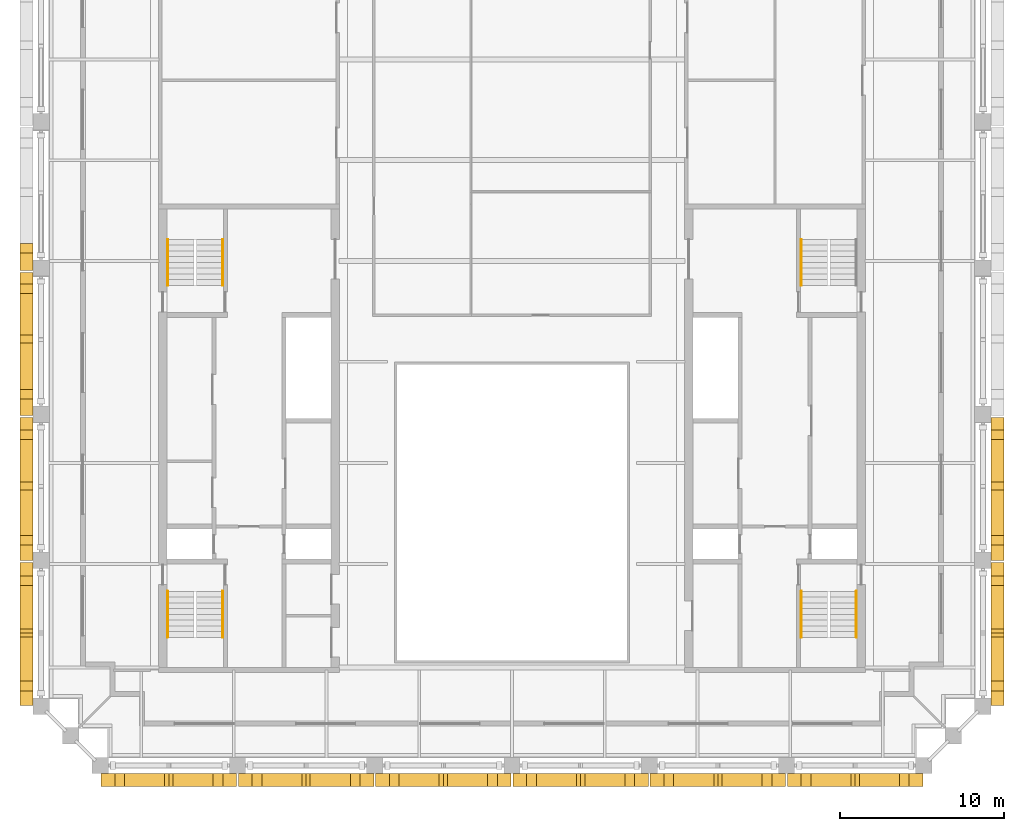
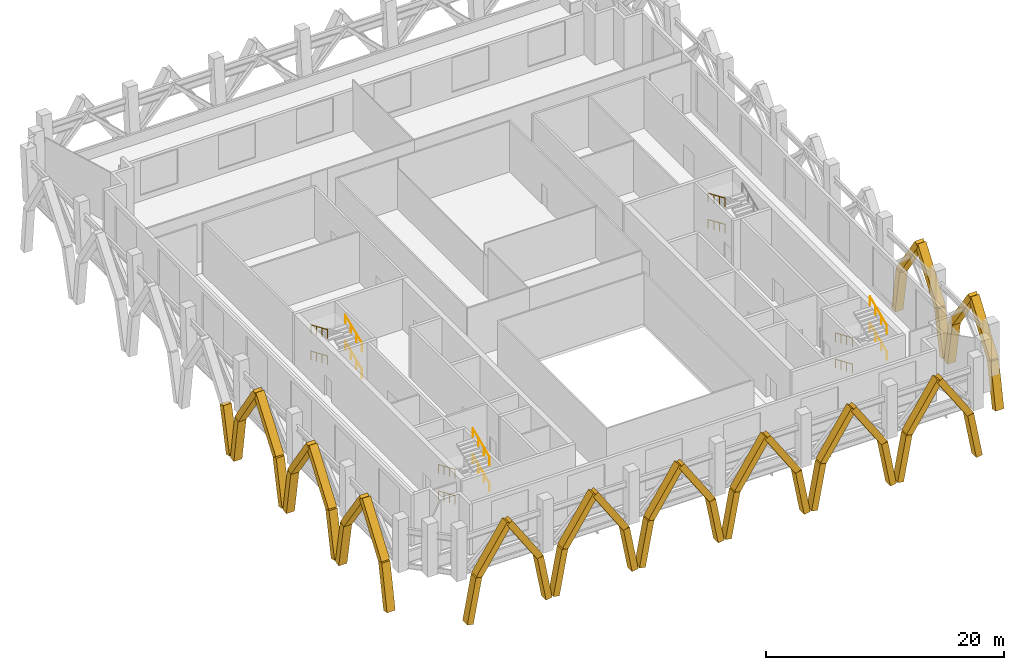
# One storey, part 12 of 13: 45 coverings, 14 railings.
"""IFC4 building model written with IfcOpenShell, lengths in metres."""

from ifc_helpers import new_model, si_unit, direction, frame, origin, origin_2d, place, context, subcontext, project, spatial, rectangle, circle, extrude, material, material_profile, profile_set, type_object, element, save


model = new_model("IFC4")

# Units and contexts
model_context = context("Model", 3, precision=1e-05, world=origin(), true_north=direction((0.0, 1.0)))
body_context = subcontext(model_context, "Body", "Model", "MODEL_VIEW")
ifc_project = project(units=[si_unit("LENGTHUNIT", "METRE"), si_unit("AREAUNIT", "SQUARE_METRE"), si_unit("VOLUMEUNIT", "CUBIC_METRE"), si_unit("PLANEANGLEUNIT", "RADIAN"), si_unit("MASSUNIT", "GRAM", prefix="KILO")], contexts=[model_context])

# Site, building, storey
site_placement = place(None, origin())
site = spatial("IfcSite", under=ifc_project, at=site_placement, CompositionType="ELEMENT")
building_placement = place(site_placement, origin())
building = spatial("IfcBuilding", under=site, at=building_placement, Name="Ogive Exchange Tower", CompositionType="ELEMENT")
storey_placement = place(building_placement, frame((0.0, 0.0, 363.60009765625)))
storey = spatial("IfcBuildingStorey", under=building, at=storey_placement, Name="L80", CompositionType="ELEMENT", Elevation=363.60009765625)

# Coverings
ifc_material_1 = material(Name="Precast concrete C50/60", Category="concrete")
ifc_material_profile = material_profile(ifc_material_1, rectangle(XDim=0.800048828125, YDim=0.60009765625, at=origin_2d()), Name="RIB 800 x 600")
ifc_profile_set = profile_set([ifc_material_profile], Name="Precast concrete C50/60")
covering_type = type_object("IfcCoveringType", Name="Precast tracery rib 800 x 600 C50/60", PredefinedType="CLADDING", material=ifc_profile_set)
covering_1_placement = place(storey_placement, frame((-24.699951171875, -9.280029296875, -4.2001953125), z_axis=(0.181512938485, 0.0, 0.983388556555), x_axis=(0.0, 1.0, 0.0)))
element("IfcCovering", 1, at=covering_1_placement, inside=storey, type_object=covering_type, Name="Tracery rib 1a", PredefinedType="CLADDING", context=body_context, shape_type="SweptSolid", body=[
    extrude(rectangle(XDim=0.800048828125, YDim=0.60009765625, at=origin_2d()), origin(), (0.0, 0.0, 1.0), 4.626953125),
])
covering_2_placement = place(storey_placement, frame((-23.860107421875, -9.280029296875, 0.349853515625), z_axis=(0.548545701982, 0.0, 0.836120573145), x_axis=(0.0, 1.0, 0.0)))
element("IfcCovering", 2, at=covering_2_placement, inside=storey, type_object=covering_type, Name="Tracery rib 1a", PredefinedType="CLADDING", context=body_context, shape_type="SweptSolid", body=[
    extrude(rectangle(XDim=0.800048828125, YDim=0.60009765625, at=origin_2d()), origin(), (0.0, 0.0, 1.0), 5.44189453125),
])
covering_3_placement = place(storey_placement, frame((-17.050048828125, -9.280029296875, -4.2001953125), z_axis=(-0.181512938485, 0.0, 0.983388556555), x_axis=(0.0, -1.0, 0.0)))
element("IfcCovering", 3, at=covering_3_placement, inside=storey, type_object=covering_type, Name="Tracery rib 1b", PredefinedType="CLADDING", context=body_context, shape_type="SweptSolid", body=[
    extrude(rectangle(XDim=0.800048828125, YDim=0.60009765625, at=origin_2d()), origin(), (0.0, 0.0, 1.0), 4.626953125),
])
covering_4_placement = place(storey_placement, frame((-17.889892578125, -9.280029296875, 0.349853515625), z_axis=(-0.548545701982, 0.0, 0.836120573145), x_axis=(0.0, -1.0, 0.0)))
element("IfcCovering", 4, at=covering_4_placement, inside=storey, type_object=covering_type, Name="Tracery rib 1b", PredefinedType="CLADDING", context=body_context, shape_type="SweptSolid", body=[
    extrude(rectangle(XDim=0.800048828125, YDim=0.60009765625, at=origin_2d()), origin(), (0.0, 0.0, 1.0), 5.44189453125),
])
covering_5_placement = place(storey_placement, frame((-16.35009765625, -9.280029296875, -4.2001953125), z_axis=(0.181563964683, 0.0, 0.983379136818), x_axis=(0.0, 1.0, 0.0)))
element("IfcCovering", 5, at=covering_5_placement, inside=storey, type_object=covering_type, Name="Tracery rib 2a", PredefinedType="CLADDING", context=body_context, shape_type="SweptSolid", body=[
    extrude(rectangle(XDim=0.800048828125, YDim=0.60009765625, at=origin_2d()), origin(), (0.0, 0.0, 1.0), 4.626953125),
])
covering_6_placement = place(storey_placement, frame((-15.510009765625, -9.280029296875, 0.349853515625), z_axis=(0.548545701982, 0.0, 0.836120573145), x_axis=(0.0, 1.0, 0.0)))
element("IfcCovering", 6, at=covering_6_placement, inside=storey, type_object=covering_type, Name="Tracery rib 2a", PredefinedType="CLADDING", context=body_context, shape_type="SweptSolid", body=[
    extrude(rectangle(XDim=0.800048828125, YDim=0.60009765625, at=origin_2d()), origin(), (0.0, 0.0, 1.0), 5.44189453125),
])
covering_7_placement = place(storey_placement, frame((-8.699951171875, -9.280029296875, -4.2001953125), z_axis=(-0.181563964683, 0.0, 0.983379136818), x_axis=(0.0, -1.0, 0.0)))
element("IfcCovering", 7, at=covering_7_placement, inside=storey, type_object=covering_type, Name="Tracery rib 2b", PredefinedType="CLADDING", context=body_context, shape_type="SweptSolid", body=[
    extrude(rectangle(XDim=0.800048828125, YDim=0.60009765625, at=origin_2d()), origin(), (0.0, 0.0, 1.0), 4.626953125),
])
covering_8_placement = place(storey_placement, frame((-9.5400390625, -9.280029296875, 0.349853515625), z_axis=(-0.548514336877, 0.0, 0.836141149711), x_axis=(0.0, -1.0, 0.0)))
element("IfcCovering", 8, at=covering_8_placement, inside=storey, type_object=covering_type, Name="Tracery rib 2b", PredefinedType="CLADDING", context=body_context, shape_type="SweptSolid", body=[
    extrude(rectangle(XDim=0.800048828125, YDim=0.60009765625, at=origin_2d()), origin(), (0.0, 0.0, 1.0), 5.441650390625),
])
covering_9_placement = place(storey_placement, frame((-8.0, -9.280029296875, -4.2001953125), z_axis=(0.181563964683, 0.0, 0.983379136818), x_axis=(0.0, 1.0, 0.0)))
element("IfcCovering", 9, at=covering_9_placement, inside=storey, type_object=covering_type, Name="Tracery rib 3a", PredefinedType="CLADDING", context=body_context, shape_type="SweptSolid", body=[
    extrude(rectangle(XDim=0.800048828125, YDim=0.60009765625, at=origin_2d()), origin(), (0.0, 0.0, 1.0), 4.626953125),
])
covering_10_placement = place(storey_placement, frame((-7.159912109375, -9.280029296875, 0.349853515625), z_axis=(0.548514336877, 0.0, 0.836141149711), x_axis=(0.0, 1.0, 0.0)))
element("IfcCovering", 10, at=covering_10_placement, inside=storey, type_object=covering_type, Name="Tracery rib 3a", PredefinedType="CLADDING", context=body_context, shape_type="SweptSolid", body=[
    extrude(rectangle(XDim=0.800048828125, YDim=0.60009765625, at=origin_2d()), origin(), (0.0, 0.0, 1.0), 5.441650390625),
])
covering_11_placement = place(storey_placement, frame((-0.35009765625, -9.280029296875, -4.2001953125), z_axis=(-0.181512938485, 0.0, 0.983388556555), x_axis=(0.0, -1.0, 0.0)))
element("IfcCovering", 11, at=covering_11_placement, inside=storey, type_object=covering_type, Name="Tracery rib 3b", PredefinedType="CLADDING", context=body_context, shape_type="SweptSolid", body=[
    extrude(rectangle(XDim=0.800048828125, YDim=0.60009765625, at=origin_2d()), origin(), (0.0, 0.0, 1.0), 4.626953125),
])
covering_12_placement = place(storey_placement, frame((-1.18994140625, -9.280029296875, 0.349853515625), z_axis=(-0.548545701982, 0.0, 0.836120573145), x_axis=(0.0, -1.0, 0.0)))
element("IfcCovering", 12, at=covering_12_placement, inside=storey, type_object=covering_type, Name="Tracery rib 3b", PredefinedType="CLADDING", context=body_context, shape_type="SweptSolid", body=[
    extrude(rectangle(XDim=0.800048828125, YDim=0.60009765625, at=origin_2d()), origin(), (0.0, 0.0, 1.0), 5.44189453125),
])
covering_13_placement = place(storey_placement, frame((0.35009765625, -9.280029296875, -4.2001953125), z_axis=(0.181512938485, 0.0, 0.983388556555), x_axis=(0.0, 1.0, 0.0)))
element("IfcCovering", 13, at=covering_13_placement, inside=storey, type_object=covering_type, Name="Tracery rib 4a", PredefinedType="CLADDING", context=body_context, shape_type="SweptSolid", body=[
    extrude(rectangle(XDim=0.800048828125, YDim=0.60009765625, at=origin_2d()), origin(), (0.0, 0.0, 1.0), 4.626953125),
])
covering_14_placement = place(storey_placement, frame((1.18994140625, -9.280029296875, 0.349853515625), z_axis=(0.548545701982, 0.0, 0.836120573145), x_axis=(0.0, 1.0, 0.0)))
element("IfcCovering", 14, at=covering_14_placement, inside=storey, type_object=covering_type, Name="Tracery rib 4a", PredefinedType="CLADDING", context=body_context, shape_type="SweptSolid", body=[
    extrude(rectangle(XDim=0.800048828125, YDim=0.60009765625, at=origin_2d()), origin(), (0.0, 0.0, 1.0), 5.44189453125),
])
covering_15_placement = place(storey_placement, frame((8.0, -9.280029296875, -4.2001953125), z_axis=(-0.181563964683, 0.0, 0.983379136818), x_axis=(0.0, -1.0, 0.0)))
element("IfcCovering", 15, at=covering_15_placement, inside=storey, type_object=covering_type, Name="Tracery rib 4b", PredefinedType="CLADDING", context=body_context, shape_type="SweptSolid", body=[
    extrude(rectangle(XDim=0.800048828125, YDim=0.60009765625, at=origin_2d()), origin(), (0.0, 0.0, 1.0), 4.626953125),
])
covering_16_placement = place(storey_placement, frame((7.159912109375, -9.280029296875, 0.349853515625), z_axis=(-0.548514336877, 0.0, 0.836141149711), x_axis=(0.0, -1.0, 0.0)))
element("IfcCovering", 16, at=covering_16_placement, inside=storey, type_object=covering_type, Name="Tracery rib 4b", PredefinedType="CLADDING", context=body_context, shape_type="SweptSolid", body=[
    extrude(rectangle(XDim=0.800048828125, YDim=0.60009765625, at=origin_2d()), origin(), (0.0, 0.0, 1.0), 5.441650390625),
])
covering_17_placement = place(storey_placement, frame((8.699951171875, -9.280029296875, -4.2001953125), z_axis=(0.181563964683, 0.0, 0.983379136818), x_axis=(0.0, 1.0, 0.0)))
element("IfcCovering", 17, at=covering_17_placement, inside=storey, type_object=covering_type, Name="Tracery rib 5a", PredefinedType="CLADDING", context=body_context, shape_type="SweptSolid", body=[
    extrude(rectangle(XDim=0.800048828125, YDim=0.60009765625, at=origin_2d()), origin(), (0.0, 0.0, 1.0), 4.626953125),
])
covering_18_placement = place(storey_placement, frame((9.5400390625, -9.280029296875, 0.349853515625), z_axis=(0.548514336877, 0.0, 0.836141149711), x_axis=(0.0, 1.0, 0.0)))
element("IfcCovering", 18, at=covering_18_placement, inside=storey, type_object=covering_type, Name="Tracery rib 5a", PredefinedType="CLADDING", context=body_context, shape_type="SweptSolid", body=[
    extrude(rectangle(XDim=0.800048828125, YDim=0.60009765625, at=origin_2d()), origin(), (0.0, 0.0, 1.0), 5.441650390625),
])
covering_19_placement = place(storey_placement, frame((16.35009765625, -9.280029296875, -4.2001953125), z_axis=(-0.181563964683, 0.0, 0.983379136818), x_axis=(0.0, -1.0, 0.0)))
element("IfcCovering", 19, at=covering_19_placement, inside=storey, type_object=covering_type, Name="Tracery rib 5b", PredefinedType="CLADDING", context=body_context, shape_type="SweptSolid", body=[
    extrude(rectangle(XDim=0.800048828125, YDim=0.60009765625, at=origin_2d()), origin(), (0.0, 0.0, 1.0), 4.626953125),
])
covering_20_placement = place(storey_placement, frame((15.510009765625, -9.280029296875, 0.349853515625), z_axis=(-0.548545701982, 0.0, 0.836120573145), x_axis=(0.0, -1.0, 0.0)))
element("IfcCovering", 20, at=covering_20_placement, inside=storey, type_object=covering_type, Name="Tracery rib 5b", PredefinedType="CLADDING", context=body_context, shape_type="SweptSolid", body=[
    extrude(rectangle(XDim=0.800048828125, YDim=0.60009765625, at=origin_2d()), origin(), (0.0, 0.0, 1.0), 5.44189453125),
])
covering_21_placement = place(storey_placement, frame((17.050048828125, -9.280029296875, -4.2001953125), z_axis=(0.181512938485, 0.0, 0.983388556555), x_axis=(0.0, 1.0, 0.0)))
element("IfcCovering", 21, at=covering_21_placement, inside=storey, type_object=covering_type, Name="Tracery rib 6a", PredefinedType="CLADDING", context=body_context, shape_type="SweptSolid", body=[
    extrude(rectangle(XDim=0.800048828125, YDim=0.60009765625, at=origin_2d()), origin(), (0.0, 0.0, 1.0), 4.626953125),
])
covering_22_placement = place(storey_placement, frame((17.889892578125, -9.280029296875, 0.349853515625), z_axis=(0.548545701982, 0.0, 0.836120573145), x_axis=(0.0, 1.0, 0.0)))
element("IfcCovering", 22, at=covering_22_placement, inside=storey, type_object=covering_type, Name="Tracery rib 6a", PredefinedType="CLADDING", context=body_context, shape_type="SweptSolid", body=[
    extrude(rectangle(XDim=0.800048828125, YDim=0.60009765625, at=origin_2d()), origin(), (0.0, 0.0, 1.0), 5.44189453125),
])
covering_23_placement = place(storey_placement, frame((24.699951171875, -9.280029296875, -4.2001953125), z_axis=(-0.181512938485, 0.0, 0.983388556555), x_axis=(0.0, -1.0, 0.0)))
element("IfcCovering", 23, at=covering_23_placement, inside=storey, type_object=covering_type, Name="Tracery rib 6b", PredefinedType="CLADDING", context=body_context, shape_type="SweptSolid", body=[
    extrude(rectangle(XDim=0.800048828125, YDim=0.60009765625, at=origin_2d()), origin(), (0.0, 0.0, 1.0), 4.626953125),
])
covering_24_placement = place(storey_placement, frame((23.860107421875, -9.280029296875, 0.349853515625), z_axis=(-0.548545701982, 0.0, 0.836120573145), x_axis=(0.0, -1.0, 0.0)))
element("IfcCovering", 24, at=covering_24_placement, inside=storey, type_object=covering_type, Name="Tracery rib 6b", PredefinedType="CLADDING", context=body_context, shape_type="SweptSolid", body=[
    extrude(rectangle(XDim=0.800048828125, YDim=0.60009765625, at=origin_2d()), origin(), (0.0, 0.0, 1.0), 5.44189453125),
])
covering_25_placement = place(storey_placement, frame((29.530029296875, -4.449951171875, -4.2001953125), z_axis=(0.0, 0.19072444743, 0.981643614125), x_axis=(-1.0, 0.0, 0.0)))
element("IfcCovering", 25, at=covering_25_placement, inside=storey, type_object=covering_type, Name="Tracery rib 9a", PredefinedType="CLADDING", context=body_context, shape_type="SweptSolid", body=[
    extrude(rectangle(XDim=0.800048828125, YDim=0.60009765625, at=origin_2d()), origin(), (0.0, 0.0, 1.0), 4.63525390625),
])
covering_26_placement = place(storey_placement, frame((29.530029296875, -3.56591796875, 0.349853515625), z_axis=(0.0, 0.579321084505, 0.815099430161), x_axis=(-1.0, 0.0, 0.0)))
element("IfcCovering", 26, at=covering_26_placement, inside=storey, type_object=covering_type, Name="Tracery rib 9a", PredefinedType="CLADDING", context=body_context, shape_type="SweptSolid", body=[
    extrude(rectangle(XDim=0.800048828125, YDim=0.60009765625, at=origin_2d()), origin(), (0.0, 0.0, 1.0), 5.582275390625),
])
covering_27_placement = place(storey_placement, frame((29.530029296875, 3.66796875, -4.2001953125), z_axis=(0.0, -0.178397581451, 0.983958486387), x_axis=(1.0, 0.0, 0.0)))
element("IfcCovering", 27, at=covering_27_placement, inside=storey, type_object=covering_type, Name="Tracery rib 9b", PredefinedType="CLADDING", context=body_context, shape_type="SweptSolid", body=[
    extrude(rectangle(XDim=0.800048828125, YDim=0.60009765625, at=origin_2d()), origin(), (0.0, 0.0, 1.0), 4.624267578125),
])
covering_28_placement = place(storey_placement, frame((29.530029296875, 2.843017578125, 0.349853515625), z_axis=(0.0, -0.572253864358, 0.820076529799), x_axis=(1.0, 0.0, 0.0)))
element("IfcCovering", 28, at=covering_28_placement, inside=storey, type_object=covering_type, Name="Tracery rib 9b", PredefinedType="CLADDING", context=body_context, shape_type="SweptSolid", body=[
    extrude(rectangle(XDim=0.800048828125, YDim=0.60009765625, at=origin_2d()), origin(), (0.0, 0.0, 1.0), 5.54833984375),
])
covering_29_placement = place(storey_placement, frame((29.530029296875, 4.367919921875, -4.2001953125), z_axis=(0.0, 0.203163237469, 0.979144881486), x_axis=(-1.0, 0.0, 0.0)))
element("IfcCovering", 29, at=covering_29_placement, inside=storey, type_object=covering_type, Name="Tracery rib 10a", PredefinedType="CLADDING", context=body_context, shape_type="SweptSolid", body=[
    extrude(rectangle(XDim=0.800048828125, YDim=0.60009765625, at=origin_2d()), origin(), (0.0, 0.0, 1.0), 4.64697265625),
])
covering_30_placement = place(storey_placement, frame((29.530029296875, 5.31201171875, 0.349853515625), z_axis=(0.0, 0.586288553991, 0.81010229691), x_axis=(-1.0, 0.0, 0.0)))
element("IfcCovering", 30, at=covering_30_placement, inside=storey, type_object=covering_type, Name="Tracery rib 10a", PredefinedType="CLADDING", context=body_context, shape_type="SweptSolid", body=[
    extrude(rectangle(XDim=0.800048828125, YDim=0.60009765625, at=origin_2d()), origin(), (0.0, 0.0, 1.0), 5.61669921875),
])
covering_31_placement = place(storey_placement, frame((29.530029296875, 12.486083984375, -4.2001953125), z_axis=(0.0, -0.166037599819, 0.986119422507), x_axis=(1.0, 0.0, 0.0)))
element("IfcCovering", 31, at=covering_31_placement, inside=storey, type_object=covering_type, Name="Tracery rib 10b", PredefinedType="CLADDING", context=body_context, shape_type="SweptSolid", body=[
    extrude(rectangle(XDim=0.800048828125, YDim=0.60009765625, at=origin_2d()), origin(), (0.0, 0.0, 1.0), 4.614013671875),
])
covering_32_placement = place(storey_placement, frame((29.530029296875, 11.719970703125, 0.349853515625), z_axis=(0.0, -0.564906106045, 0.825155192284), x_axis=(1.0, 0.0, 0.0)))
element("IfcCovering", 32, at=covering_32_placement, inside=storey, type_object=covering_type, Name="Tracery rib 10b", PredefinedType="CLADDING", context=body_context, shape_type="SweptSolid", body=[
    extrude(rectangle(XDim=0.800048828125, YDim=0.60009765625, at=origin_2d()), origin(), (0.0, 0.0, 1.0), 5.51416015625),
])
covering_33_placement = place(storey_placement, frame((-29.530029296875, 22.0048828125, -4.2001953125), z_axis=(0.0, 0.227099114365, 0.973871650812), x_axis=(-1.0, 0.0, 0.0)))
element("IfcCovering", 33, at=covering_33_placement, inside=storey, type_object=covering_type, Name="Tracery rib 29b", PredefinedType="CLADDING", context=body_context, shape_type="SweptSolid", body=[
    extrude(rectangle(XDim=0.800048828125, YDim=0.60009765625, at=origin_2d()), origin(), (0.0, 0.0, 1.0), 4.672119140625),
])
covering_34_placement = place(storey_placement, frame((-29.530029296875, 21.304931640625, -4.2001953125), z_axis=(0.0, -0.153547099425, 0.988141330103), x_axis=(1.0, 0.0, 0.0)))
element("IfcCovering", 34, at=covering_34_placement, inside=storey, type_object=covering_type, Name="Tracery rib 30a", PredefinedType="CLADDING", context=body_context, shape_type="SweptSolid", body=[
    extrude(rectangle(XDim=0.800048828125, YDim=0.60009765625, at=origin_2d()), origin(), (0.0, 0.0, 1.0), 4.604736328125),
])
covering_35_placement = place(storey_placement, frame((-29.530029296875, 20.597900390625, 0.349853515625), z_axis=(0.0, -0.557667039422, 0.830064740332), x_axis=(1.0, 0.0, 0.0)))
element("IfcCovering", 35, at=covering_35_placement, inside=storey, type_object=covering_type, Name="Tracery rib 30a", PredefinedType="CLADDING", context=body_context, shape_type="SweptSolid", body=[
    extrude(rectangle(XDim=0.800048828125, YDim=0.60009765625, at=origin_2d()), origin(), (0.0, 0.0, 1.0), 5.4814453125),
])
covering_36_placement = place(storey_placement, frame((-29.530029296875, 13.18603515625, -4.2001953125), z_axis=(0.0, 0.215254606968, 0.976557962529), x_axis=(-1.0, 0.0, 0.0)))
element("IfcCovering", 36, at=covering_36_placement, inside=storey, type_object=covering_type, Name="Tracery rib 30b", PredefinedType="CLADDING", context=body_context, shape_type="SweptSolid", body=[
    extrude(rectangle(XDim=0.800048828125, YDim=0.60009765625, at=origin_2d()), origin(), (0.0, 0.0, 1.0), 4.6591796875),
])
covering_37_placement = place(storey_placement, frame((-29.530029296875, 14.18896484375, 0.349853515625), z_axis=(0.0, 0.593128303464, 0.80510795278), x_axis=(-1.0, 0.0, 0.0)))
element("IfcCovering", 37, at=covering_37_placement, inside=storey, type_object=covering_type, Name="Tracery rib 30b", PredefinedType="CLADDING", context=body_context, shape_type="SweptSolid", body=[
    extrude(rectangle(XDim=0.800048828125, YDim=0.60009765625, at=origin_2d()), origin(), (0.0, 0.0, 1.0), 5.6513671875),
])
covering_38_placement = place(storey_placement, frame((-29.530029296875, 12.486083984375, -4.2001953125), z_axis=(0.0, -0.166037599819, 0.986119422507), x_axis=(1.0, 0.0, 0.0)))
element("IfcCovering", 38, at=covering_38_placement, inside=storey, type_object=covering_type, Name="Tracery rib 31a", PredefinedType="CLADDING", context=body_context, shape_type="SweptSolid", body=[
    extrude(rectangle(XDim=0.800048828125, YDim=0.60009765625, at=origin_2d()), origin(), (0.0, 0.0, 1.0), 4.614013671875),
])
covering_39_placement = place(storey_placement, frame((-29.530029296875, 11.719970703125, 0.349853515625), z_axis=(0.0, -0.564906106045, 0.825155192284), x_axis=(1.0, 0.0, 0.0)))
element("IfcCovering", 39, at=covering_39_placement, inside=storey, type_object=covering_type, Name="Tracery rib 31a", PredefinedType="CLADDING", context=body_context, shape_type="SweptSolid", body=[
    extrude(rectangle(XDim=0.800048828125, YDim=0.60009765625, at=origin_2d()), origin(), (0.0, 0.0, 1.0), 5.51416015625),
])
covering_40_placement = place(storey_placement, frame((-29.530029296875, 4.367919921875, -4.2001953125), z_axis=(0.0, 0.203163237469, 0.979144881486), x_axis=(-1.0, 0.0, 0.0)))
element("IfcCovering", 40, at=covering_40_placement, inside=storey, type_object=covering_type, Name="Tracery rib 31b", PredefinedType="CLADDING", context=body_context, shape_type="SweptSolid", body=[
    extrude(rectangle(XDim=0.800048828125, YDim=0.60009765625, at=origin_2d()), origin(), (0.0, 0.0, 1.0), 4.64697265625),
])
covering_41_placement = place(storey_placement, frame((-29.530029296875, 5.31201171875, 0.349853515625), z_axis=(0.0, 0.586288553991, 0.81010229691), x_axis=(-1.0, 0.0, 0.0)))
element("IfcCovering", 41, at=covering_41_placement, inside=storey, type_object=covering_type, Name="Tracery rib 31b", PredefinedType="CLADDING", context=body_context, shape_type="SweptSolid", body=[
    extrude(rectangle(XDim=0.800048828125, YDim=0.60009765625, at=origin_2d()), origin(), (0.0, 0.0, 1.0), 5.61669921875),
])
covering_42_placement = place(storey_placement, frame((-29.530029296875, 3.66796875, -4.2001953125), z_axis=(0.0, -0.178397581451, 0.983958486387), x_axis=(1.0, 0.0, 0.0)))
element("IfcCovering", 42, at=covering_42_placement, inside=storey, type_object=covering_type, Name="Tracery rib 32a", PredefinedType="CLADDING", context=body_context, shape_type="SweptSolid", body=[
    extrude(rectangle(XDim=0.800048828125, YDim=0.60009765625, at=origin_2d()), origin(), (0.0, 0.0, 1.0), 4.624267578125),
])
covering_43_placement = place(storey_placement, frame((-29.530029296875, 2.843017578125, 0.349853515625), z_axis=(0.0, -0.572253864358, 0.820076529799), x_axis=(1.0, 0.0, 0.0)))
element("IfcCovering", 43, at=covering_43_placement, inside=storey, type_object=covering_type, Name="Tracery rib 32a", PredefinedType="CLADDING", context=body_context, shape_type="SweptSolid", body=[
    extrude(rectangle(XDim=0.800048828125, YDim=0.60009765625, at=origin_2d()), origin(), (0.0, 0.0, 1.0), 5.54833984375),
])
covering_44_placement = place(storey_placement, frame((-29.530029296875, -4.449951171875, -4.2001953125), z_axis=(0.0, 0.19072444743, 0.981643614125), x_axis=(-1.0, 0.0, 0.0)))
element("IfcCovering", 44, at=covering_44_placement, inside=storey, type_object=covering_type, Name="Tracery rib 32b", PredefinedType="CLADDING", context=body_context, shape_type="SweptSolid", body=[
    extrude(rectangle(XDim=0.800048828125, YDim=0.60009765625, at=origin_2d()), origin(), (0.0, 0.0, 1.0), 4.63525390625),
])
covering_45_placement = place(storey_placement, frame((-29.530029296875, -3.56591796875, 0.349853515625), z_axis=(0.0, 0.579321084505, 0.815099430161), x_axis=(-1.0, 0.0, 0.0)))
element("IfcCovering", 45, at=covering_45_placement, inside=storey, type_object=covering_type, Name="Tracery rib 32b", PredefinedType="CLADDING", context=body_context, shape_type="SweptSolid", body=[
    extrude(rectangle(XDim=0.800048828125, YDim=0.60009765625, at=origin_2d()), origin(), (0.0, 0.0, 1.0), 5.582275390625),
])

# Railings
ifc_material_2 = material(Name="Stainless steel", Category="steel")
railing_type = type_object("IfcRailingType", Name="Stair handrail 900", PredefinedType="HANDRAIL", material=ifc_material_2)
railing_1_placement = place(storey_placement, frame((-20.949951171875, 2.199951171875, 0.14990234375)))
element("IfcRailing", 46, at=railing_1_placement, inside=storey, type_object=railing_type, Name="L80 ST1 stair handrail 1", PredefinedType="HANDRAIL", context=body_context, shape_type="SweptSolid", body=[
    extrude(circle(Radius=0.02392578125, at=origin_2d()), frame((0.0, 0.0, 0.8759765625), z_axis=(0.0, -0.919549827119, 0.392973428423), x_axis=(1.0, 0.0, 0.0)), (0.0, 0.0, 1.0), 3.053466796875),
    extrude(circle(Radius=0.02099609375, at=origin_2d()), origin(), (0.0, 0.0, 1.0), 0.851806640625),
    extrude(circle(Radius=0.02099609375, at=origin_2d()), frame((0.0, -0.93603515625, 0.39990234375)), (0.0, 0.0, 1.0), 0.851806640625),
    extrude(circle(Radius=0.02099609375, at=origin_2d()), frame((0.0, -1.871826171875, 0.800048828125)), (0.0, 0.0, 1.0), 0.851806640625),
    extrude(circle(Radius=0.02099609375, at=origin_2d()), frame((0.0, -2.807861328125, 1.199951171875)), (0.0, 0.0, 1.0), 0.851806640625),
])
railing_2_placement = place(storey_placement, frame((-17.60009765625, -0.60791015625, 1.5)))
element("IfcRailing", 47, at=railing_2_placement, inside=storey, type_object=railing_type, Name="L80 ST1 stair handrail 2", PredefinedType="HANDRAIL", context=body_context, shape_type="SweptSolid", body=[
    extrude(circle(Radius=0.02392578125, at=origin_2d()), frame((0.0, 0.0, 0.8759765625), z_axis=(0.0, 0.919549827119, 0.392973428423), x_axis=(-1.0, 0.0, 0.0)), (0.0, 0.0, 1.0), 3.053466796875),
    extrude(circle(Radius=0.02099609375, at=origin_2d()), origin(), (0.0, 0.0, 1.0), 0.851806640625),
    extrude(circle(Radius=0.02099609375, at=origin_2d()), frame((0.0, 0.93603515625, 0.39990234375)), (0.0, 0.0, 1.0), 0.851806640625),
    extrude(circle(Radius=0.02099609375, at=origin_2d()), frame((0.0, 1.871826171875, 0.800048828125)), (0.0, 0.0, 1.0), 0.851806640625),
    extrude(circle(Radius=0.02099609375, at=origin_2d()), frame((0.0, 2.807861328125, 1.199951171875)), (0.0, 0.0, 1.0), 0.851806640625),
])
railing_3_placement = place(storey_placement, frame((-20.949951171875, 2.199951171875, 2.849853515625)))
element("IfcRailing", 48, at=railing_3_placement, inside=storey, type_object=railing_type, Name="L80 ST1 stair handrail 3", PredefinedType="HANDRAIL", context=body_context, shape_type="SweptSolid", body=[
    extrude(circle(Radius=0.02392578125, at=origin_2d()), frame((0.0, 0.0, 0.8759765625), z_axis=(0.0, -0.919549827119, 0.392973428423), x_axis=(1.0, 0.0, 0.0)), (0.0, 0.0, 1.0), 3.053466796875),
    extrude(circle(Radius=0.02099609375, at=origin_2d()), origin(), (0.0, 0.0, 1.0), 0.851806640625),
    extrude(circle(Radius=0.02099609375, at=origin_2d()), frame((0.0, -0.93603515625, 0.39990234375)), (0.0, 0.0, 1.0), 0.851806640625),
    extrude(circle(Radius=0.02099609375, at=origin_2d()), frame((0.0, -1.871826171875, 0.800048828125)), (0.0, 0.0, 1.0), 0.851806640625),
    extrude(circle(Radius=0.02099609375, at=origin_2d()), frame((0.0, -2.807861328125, 1.199951171875)), (0.0, 0.0, 1.0), 0.851806640625),
])
for number, where, name in (
    (49, (-17.60009765625, -0.60791015625, 4.199951171875), "L80 ST1 stair handrail 4"),
    (50, (-17.60009765625, 20.800048828125, 0.14990234375), "L80 ST2 stair handrail 1"),
):
    element("IfcRailing", number, at=place(storey_placement, frame(where)), inside=storey, type_object=railing_type, Name=name, PredefinedType="HANDRAIL", context=body_context, shape_type="SweptSolid", body=[
        extrude(circle(Radius=0.02392578125, at=origin_2d()), frame((0.0, 0.0, 0.8759765625), z_axis=(0.0, 0.919549827119, 0.392973428423), x_axis=(-1.0, 0.0, 0.0)), (0.0, 0.0, 1.0), 3.053466796875),
        extrude(circle(Radius=0.02099609375, at=origin_2d()), origin(), (0.0, 0.0, 1.0), 0.851806640625),
        extrude(circle(Radius=0.02099609375, at=origin_2d()), frame((0.0, 0.93603515625, 0.39990234375)), (0.0, 0.0, 1.0), 0.851806640625),
        extrude(circle(Radius=0.02099609375, at=origin_2d()), frame((0.0, 1.871826171875, 0.800048828125)), (0.0, 0.0, 1.0), 0.851806640625),
        extrude(circle(Radius=0.02099609375, at=origin_2d()), frame((0.0, 2.807861328125, 1.199951171875)), (0.0, 0.0, 1.0), 0.851806640625),
    ])
railing_4_placement = place(storey_placement, frame((-20.949951171875, 23.60791015625, 1.5)))
element("IfcRailing", 51, at=railing_4_placement, inside=storey, type_object=railing_type, Name="L80 ST2 stair handrail 2", PredefinedType="HANDRAIL", context=body_context, shape_type="SweptSolid", body=[
    extrude(circle(Radius=0.02392578125, at=origin_2d()), frame((0.0, 0.0, 0.8759765625), z_axis=(0.0, -0.919549827119, 0.392973428423), x_axis=(1.0, 0.0, 0.0)), (0.0, 0.0, 1.0), 3.053466796875),
    extrude(circle(Radius=0.02099609375, at=origin_2d()), origin(), (0.0, 0.0, 1.0), 0.851806640625),
    extrude(circle(Radius=0.02099609375, at=origin_2d()), frame((0.0, -0.93603515625, 0.39990234375)), (0.0, 0.0, 1.0), 0.851806640625),
    extrude(circle(Radius=0.02099609375, at=origin_2d()), frame((0.0, -1.871826171875, 0.800048828125)), (0.0, 0.0, 1.0), 0.851806640625),
    extrude(circle(Radius=0.02099609375, at=origin_2d()), frame((0.0, -2.807861328125, 1.199951171875)), (0.0, 0.0, 1.0), 0.851806640625),
])
railing_5_placement = place(storey_placement, frame((-17.60009765625, 20.800048828125, 2.849853515625)))
element("IfcRailing", 52, at=railing_5_placement, inside=storey, type_object=railing_type, Name="L80 ST2 stair handrail 3", PredefinedType="HANDRAIL", context=body_context, shape_type="SweptSolid", body=[
    extrude(circle(Radius=0.02392578125, at=origin_2d()), frame((0.0, 0.0, 0.8759765625), z_axis=(0.0, 0.919549827119, 0.392973428423), x_axis=(-1.0, 0.0, 0.0)), (0.0, 0.0, 1.0), 3.053466796875),
    extrude(circle(Radius=0.02099609375, at=origin_2d()), origin(), (0.0, 0.0, 1.0), 0.851806640625),
    extrude(circle(Radius=0.02099609375, at=origin_2d()), frame((0.0, 0.93603515625, 0.39990234375)), (0.0, 0.0, 1.0), 0.851806640625),
    extrude(circle(Radius=0.02099609375, at=origin_2d()), frame((0.0, 1.871826171875, 0.800048828125)), (0.0, 0.0, 1.0), 0.851806640625),
    extrude(circle(Radius=0.02099609375, at=origin_2d()), frame((0.0, 2.807861328125, 1.199951171875)), (0.0, 0.0, 1.0), 0.851806640625),
])
for number, where, name in (
    (53, (-20.949951171875, 23.60791015625, 4.199951171875), "L80 ST2 stair handrail 4"),
    (54, (17.60009765625, 2.199951171875, 0.14990234375), "L80 ST3 stair handrail 1"),
):
    element("IfcRailing", number, at=place(storey_placement, frame(where)), inside=storey, type_object=railing_type, Name=name, PredefinedType="HANDRAIL", context=body_context, shape_type="SweptSolid", body=[
        extrude(circle(Radius=0.02392578125, at=origin_2d()), frame((0.0, 0.0, 0.8759765625), z_axis=(0.0, -0.919549827119, 0.392973428423), x_axis=(1.0, 0.0, 0.0)), (0.0, 0.0, 1.0), 3.053466796875),
        extrude(circle(Radius=0.02099609375, at=origin_2d()), origin(), (0.0, 0.0, 1.0), 0.851806640625),
        extrude(circle(Radius=0.02099609375, at=origin_2d()), frame((0.0, -0.93603515625, 0.39990234375)), (0.0, 0.0, 1.0), 0.851806640625),
        extrude(circle(Radius=0.02099609375, at=origin_2d()), frame((0.0, -1.871826171875, 0.800048828125)), (0.0, 0.0, 1.0), 0.851806640625),
        extrude(circle(Radius=0.02099609375, at=origin_2d()), frame((0.0, -2.807861328125, 1.199951171875)), (0.0, 0.0, 1.0), 0.851806640625),
    ])
railing_6_placement = place(storey_placement, frame((20.949951171875, -0.60791015625, 1.5)))
element("IfcRailing", 55, at=railing_6_placement, inside=storey, type_object=railing_type, Name="L80 ST3 stair handrail 2", PredefinedType="HANDRAIL", context=body_context, shape_type="SweptSolid", body=[
    extrude(circle(Radius=0.02392578125, at=origin_2d()), frame((0.0, 0.0, 0.8759765625), z_axis=(0.0, 0.919549827119, 0.392973428423), x_axis=(-1.0, 0.0, 0.0)), (0.0, 0.0, 1.0), 3.053466796875),
    extrude(circle(Radius=0.02099609375, at=origin_2d()), origin(), (0.0, 0.0, 1.0), 0.851806640625),
    extrude(circle(Radius=0.02099609375, at=origin_2d()), frame((0.0, 0.93603515625, 0.39990234375)), (0.0, 0.0, 1.0), 0.851806640625),
    extrude(circle(Radius=0.02099609375, at=origin_2d()), frame((0.0, 1.871826171875, 0.800048828125)), (0.0, 0.0, 1.0), 0.851806640625),
    extrude(circle(Radius=0.02099609375, at=origin_2d()), frame((0.0, 2.807861328125, 1.199951171875)), (0.0, 0.0, 1.0), 0.851806640625),
])
railing_7_placement = place(storey_placement, frame((17.60009765625, 2.199951171875, 2.849853515625)))
element("IfcRailing", 56, at=railing_7_placement, inside=storey, type_object=railing_type, Name="L80 ST3 stair handrail 3", PredefinedType="HANDRAIL", context=body_context, shape_type="SweptSolid", body=[
    extrude(circle(Radius=0.02392578125, at=origin_2d()), frame((0.0, 0.0, 0.8759765625), z_axis=(0.0, -0.919549827119, 0.392973428423), x_axis=(1.0, 0.0, 0.0)), (0.0, 0.0, 1.0), 3.053466796875),
    extrude(circle(Radius=0.02099609375, at=origin_2d()), origin(), (0.0, 0.0, 1.0), 0.851806640625),
    extrude(circle(Radius=0.02099609375, at=origin_2d()), frame((0.0, -0.93603515625, 0.39990234375)), (0.0, 0.0, 1.0), 0.851806640625),
    extrude(circle(Radius=0.02099609375, at=origin_2d()), frame((0.0, -1.871826171875, 0.800048828125)), (0.0, 0.0, 1.0), 0.851806640625),
    extrude(circle(Radius=0.02099609375, at=origin_2d()), frame((0.0, -2.807861328125, 1.199951171875)), (0.0, 0.0, 1.0), 0.851806640625),
])
railing_8_placement = place(storey_placement, frame((20.949951171875, -0.60791015625, 4.199951171875)))
element("IfcRailing", 57, at=railing_8_placement, inside=storey, type_object=railing_type, Name="L80 ST3 stair handrail 4", PredefinedType="HANDRAIL", context=body_context, shape_type="SweptSolid", body=[
    extrude(circle(Radius=0.02392578125, at=origin_2d()), frame((0.0, 0.0, 0.8759765625), z_axis=(0.0, 0.919549827119, 0.392973428423), x_axis=(-1.0, 0.0, 0.0)), (0.0, 0.0, 1.0), 3.053466796875),
    extrude(circle(Radius=0.02099609375, at=origin_2d()), origin(), (0.0, 0.0, 1.0), 0.851806640625),
    extrude(circle(Radius=0.02099609375, at=origin_2d()), frame((0.0, 0.93603515625, 0.39990234375)), (0.0, 0.0, 1.0), 0.851806640625),
    extrude(circle(Radius=0.02099609375, at=origin_2d()), frame((0.0, 1.871826171875, 0.800048828125)), (0.0, 0.0, 1.0), 0.851806640625),
    extrude(circle(Radius=0.02099609375, at=origin_2d()), frame((0.0, 2.807861328125, 1.199951171875)), (0.0, 0.0, 1.0), 0.851806640625),
])
for number, where, name in (
    (58, (17.60009765625, 23.60791015625, 1.5), "L80 ST4 stair handrail 2"),
    (59, (17.60009765625, 23.60791015625, 4.199951171875), "L80 ST4 stair handrail 4"),
):
    element("IfcRailing", number, at=place(storey_placement, frame(where)), inside=storey, type_object=railing_type, Name=name, PredefinedType="HANDRAIL", context=body_context, shape_type="SweptSolid", body=[
        extrude(circle(Radius=0.02392578125, at=origin_2d()), frame((0.0, 0.0, 0.8759765625), z_axis=(0.0, -0.919549827119, 0.392973428423), x_axis=(1.0, 0.0, 0.0)), (0.0, 0.0, 1.0), 3.053466796875),
        extrude(circle(Radius=0.02099609375, at=origin_2d()), origin(), (0.0, 0.0, 1.0), 0.851806640625),
        extrude(circle(Radius=0.02099609375, at=origin_2d()), frame((0.0, -0.93603515625, 0.39990234375)), (0.0, 0.0, 1.0), 0.851806640625),
        extrude(circle(Radius=0.02099609375, at=origin_2d()), frame((0.0, -1.871826171875, 0.800048828125)), (0.0, 0.0, 1.0), 0.851806640625),
        extrude(circle(Radius=0.02099609375, at=origin_2d()), frame((0.0, -2.807861328125, 1.199951171875)), (0.0, 0.0, 1.0), 0.851806640625),
    ])

save(model, "model.ifc")
